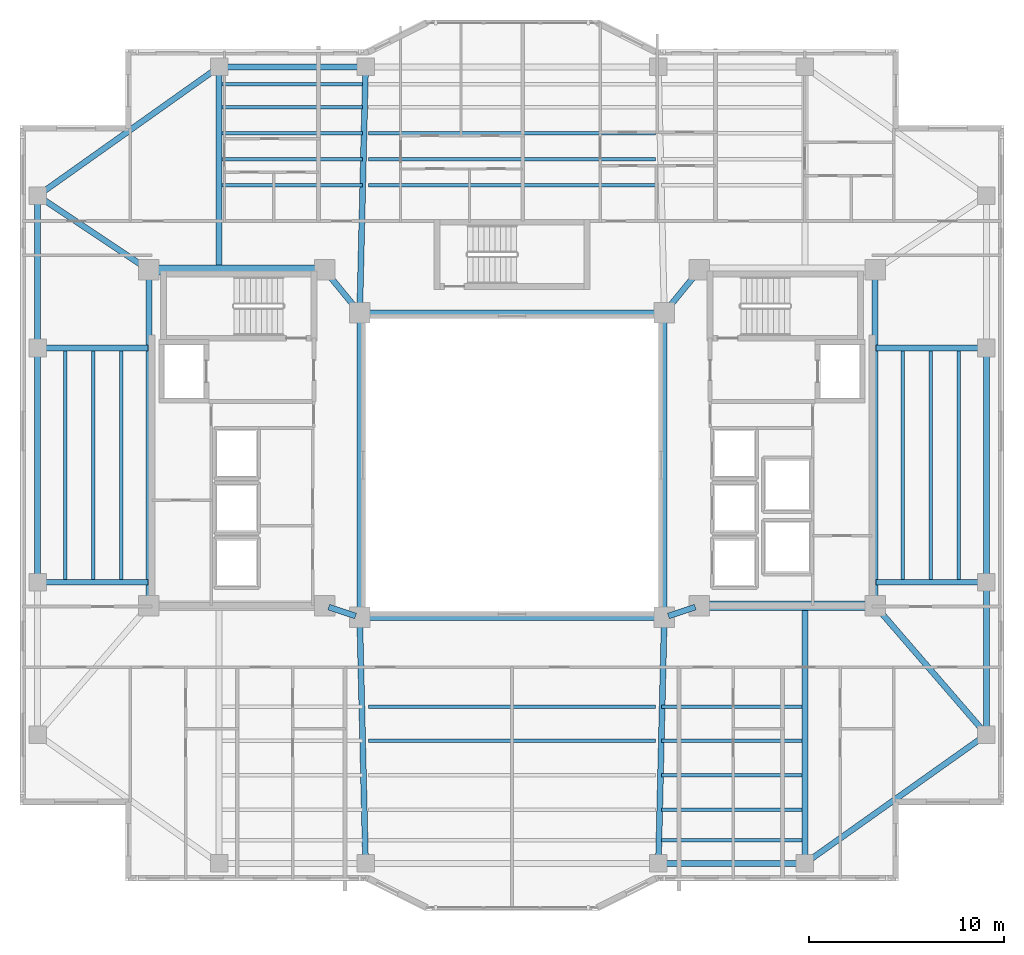
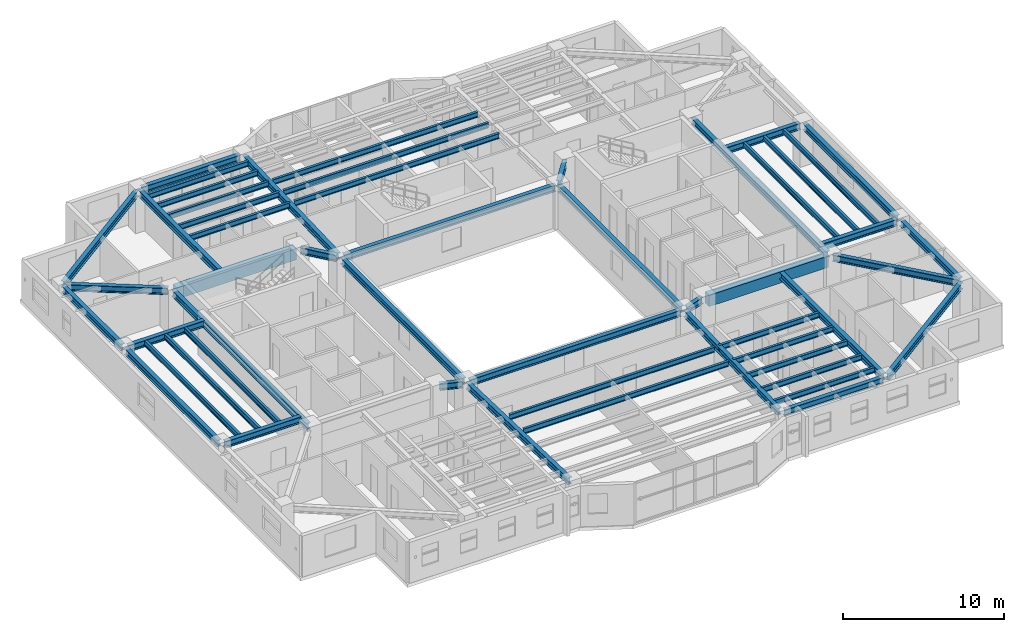
# One storey, part 3 of 16: 52 beams.
"""IFC4 building model written with IfcOpenShell, lengths in metres."""

from ifc_helpers import new_model, si_unit, direction, frame, origin, origin_2d, place, context, subcontext, project, spatial, rectangle, i_section, extrude, material, material_profile, profile_set, type_object, element, save


model = new_model("IFC4")

# Units and contexts
model_context = context("Model", 3, precision=1e-05, world=origin(), true_north=direction((0.0, 1.0)))
body_context = subcontext(model_context, "Body", "Model", "MODEL_VIEW")
ifc_project = project(units=[si_unit("LENGTHUNIT", "METRE"), si_unit("AREAUNIT", "SQUARE_METRE"), si_unit("VOLUMEUNIT", "CUBIC_METRE"), si_unit("PLANEANGLEUNIT", "RADIAN"), si_unit("MASSUNIT", "GRAM", prefix="KILO")], contexts=[model_context])

# Site, building, storey
site_placement = place(None, origin())
site = spatial("IfcSite", under=ifc_project, at=site_placement, CompositionType="ELEMENT")
building_placement = place(site_placement, origin())
building = spatial("IfcBuilding", under=site, at=building_placement, Name="Tarnavaz Court Tower", CompositionType="ELEMENT")
storey_placement = place(building_placement, frame((0.0, 0.0, 156.050048828125)))
storey = spatial("IfcBuildingStorey", under=building, at=storey_placement, Name="L42", CompositionType="ELEMENT", Elevation=156.050048828125)

# Beams
ifc_material_1 = material(Name="Concrete C50/60", Category="concrete")
ifc_material_profile_1 = material_profile(ifc_material_1, rectangle(XDim=0.5, YDim=0.85009765625, at=origin_2d()), Name="RC 500X850")
ifc_profile_set_1 = profile_set([ifc_material_profile_1], Name="Concrete C50/60")
beam_type_1 = type_object("IfcBeamType", Name="BM-CB850", PredefinedType="LINTEL", material=ifc_profile_set_1)
for number, where, z_axis, x_axis, name in (
    (1, (-18.3798828125, 10.0, 2.675048828125), (1.0, 0.0, 0.0), (0.0, 1.0, 0.0), "L42 Beam IN-CW-NO-CW-NI"),
    (2, (18.3798828125, -7.199951171875, 2.675048828125), (-1.0, 0.0, 0.0), (0.0, -1.0, 0.0), "L42 Beam IN-CE-SO-CE-SI"),
):
    element("IfcBeam", number, at=place(storey_placement, frame(where, z_axis=z_axis, x_axis=x_axis)), inside=storey, type_object=beam_type_1, Name=name, PredefinedType="LINTEL", context=body_context, shape_type="SweptSolid", body=[
        extrude(rectangle(XDim=0.5, YDim=0.85009765625, at=origin_2d()), origin(), (0.0, 0.0, 1.0), 8.559814453125),
    ])
ifc_material_2 = material(Name="Steel S355", Category="steel")
ifc_material_profile_2 = material_profile(ifc_material_2, i_section(OverallWidth=0.300048828125, OverallDepth=0.5, WebThickness=0.014404296875, FlangeThickness=0.028076171875, FilletRadius=0.027099609375, at=origin_2d()), Name="HEB 500")
ifc_profile_set_2 = profile_set([ifc_material_profile_2], Name="Steel S355")
beam_type_2 = type_object("IfcBeamType", Name="BM-G-HEB500", PredefinedType="USERDEFINED", material=ifc_profile_set_2)
for number, where, z_axis, x_axis, name in (
    (3, (-9.391357421875, -7.26953125, 2.849853515625), (0.948666544706, -0.316278021615, 0.0), (0.316278021615, 0.948666544706, 0.0), "L42 Beam IN-CW-SI-IW-SW"),
    (4, (9.391357421875, -7.26953125, 2.849853515625), (-0.948666544706, -0.316278021615, 0.0), (0.316278021615, -0.948666544706, 0.0), "L42 Beam IN-CE-SI-IW-SE"),
):
    element("IfcBeam", number, at=place(storey_placement, frame(where, z_axis=z_axis, x_axis=x_axis)), inside=storey, type_object=beam_type_2, Name=name, ObjectType="GIRDER", PredefinedType="USERDEFINED", context=body_context, shape_type="SweptSolid", body=[
        extrude(i_section(OverallWidth=0.300048828125, OverallDepth=0.5, WebThickness=0.014404296875, FlangeThickness=0.028076171875, FilletRadius=0.027099609375, at=origin_2d()), origin(), (0.0, 0.0, 1.0), 1.457275390625),
    ])
for number, where, z_axis, x_axis, name in (
    (5, (-9.460693359375, 9.82958984375, 2.849853515625), (0.633282058357, -0.773921077735, 0.0), (0.773921077735, 0.633282058357, 0.0), "L42 Beam IN-CW-NI-IW-NW"),
    (6, (9.460693359375, 9.82958984375, 2.849853515625), (-0.633282058357, -0.773921077735, 0.0), (0.773921077735, -0.633282058357, 0.0), "L42 Beam IN-CE-NI-IW-NE"),
):
    element("IfcBeam", number, at=place(storey_placement, frame(where, z_axis=z_axis, x_axis=x_axis)), inside=storey, type_object=beam_type_2, Name=name, ObjectType="GIRDER", PredefinedType="USERDEFINED", context=body_context, shape_type="SweptSolid", body=[
        extrude(i_section(OverallWidth=0.300048828125, OverallDepth=0.5, WebThickness=0.014404296875, FlangeThickness=0.028076171875, FilletRadius=0.027099609375, at=origin_2d()), origin(), (0.0, 0.0, 1.0), 2.402587890625),
    ])
for number, where, z_axis, x_axis, name in (
    (7, (-18.60009765625, -6.97998046875, 2.849853515625), (0.0, 1.0, 0.0), (-1.0, 0.0, 0.0), "L42 Beam IN-CW-SO-CW-NO"),
    (8, (18.60009765625, -6.97998046875, 2.849853515625), (0.0, 1.0, 0.0), (-1.0, 0.0, 0.0), "L42 Beam IN-CE-SO-CE-NO"),
):
    element("IfcBeam", number, at=place(storey_placement, frame(where, z_axis=z_axis, x_axis=x_axis)), inside=storey, type_object=beam_type_2, Name=name, ObjectType="GIRDER", PredefinedType="USERDEFINED", context=body_context, shape_type="SweptSolid", body=[
        extrude(i_section(OverallWidth=0.300048828125, OverallDepth=0.5, WebThickness=0.014404296875, FlangeThickness=0.028076171875, FilletRadius=0.027099609375, at=origin_2d()), origin(), (0.0, 0.0, 1.0), 16.760009765625),
    ])
beam_1_placement = place(storey_placement, frame((-15.0, 10.0400390625, 2.849853515625), z_axis=(0.0, 1.0, 0.0), x_axis=(-1.0, 0.0, 0.0)))
element("IfcBeam", 9, at=beam_1_placement, inside=storey, type_object=beam_type_2, Name="L42 Beam RG-01", ObjectType="GIRDER", PredefinedType="USERDEFINED", context=body_context, shape_type="SweptSolid", body=[
    extrude(i_section(OverallWidth=0.300048828125, OverallDepth=0.5, WebThickness=0.014404296875, FlangeThickness=0.028076171875, FilletRadius=0.027099609375, at=origin_2d()), origin(), (0.0, 0.0, 1.0), 10.139892578125),
])
for number, where, z_axis, x_axis, name in (
    (10, (-7.794921875, 8.02001953125, 2.849853515625), (0.023824748444, 0.999716150395, 0.0), (-0.999716150395, 0.023824748444, 0.0), "L42 Beam RG-02"),
    (11, (-7.794921875, -8.02001953125, 2.849853515625), (0.023824748444, -0.999716150395, 0.0), (0.999716150395, 0.023824748444, 0.0), "L42 Beam RG-06"),
    (12, (7.794921875, -8.02001953125, 2.849853515625), (-0.023824748444, -0.999716150395, 0.0), (0.999716150395, -0.023824748444, 0.0), "L42 Beam RG-07"),
):
    element("IfcBeam", number, at=place(storey_placement, frame(where, z_axis=z_axis, x_axis=x_axis)), inside=storey, type_object=beam_type_2, Name=name, ObjectType="GIRDER", PredefinedType="USERDEFINED", context=body_context, shape_type="SweptSolid", body=[
        extrude(i_section(OverallWidth=0.300048828125, OverallDepth=0.5, WebThickness=0.014404296875, FlangeThickness=0.028076171875, FilletRadius=0.027099609375, at=origin_2d()), origin(), (0.0, 0.0, 1.0), 12.16357421875),
    ])
beam_2_placement = place(storey_placement, frame((15.0, -7.239990234375, 2.849853515625), z_axis=(0.0, -1.0, 0.0), x_axis=(1.0, 0.0, 0.0)))
element("IfcBeam", 13, at=beam_2_placement, inside=storey, type_object=beam_type_2, Name="L42 Beam RG-08", ObjectType="GIRDER", PredefinedType="USERDEFINED", context=body_context, shape_type="SweptSolid", body=[
    extrude(i_section(OverallWidth=0.300048828125, OverallDepth=0.5, WebThickness=0.014404296875, FlangeThickness=0.028076171875, FilletRadius=0.027099609375, at=origin_2d()), origin(), (0.0, 0.0, 1.0), 12.93994140625),
])
for number, where, z_axis, x_axis, name in (
    (14, (18.639892578125, -6.0, 2.849853515625), (1.0, 0.0, 0.0), (0.0, 1.0, 0.0), "L42 Beam RG-09"),
    (15, (18.639892578125, 6.0, 2.849853515625), (1.0, 0.0, 0.0), (0.0, 1.0, 0.0), "L42 Beam RG-10"),
):
    element("IfcBeam", number, at=place(storey_placement, frame(where, z_axis=z_axis, x_axis=x_axis)), inside=storey, type_object=beam_type_2, Name=name, ObjectType="GIRDER", PredefinedType="USERDEFINED", context=body_context, shape_type="SweptSolid", body=[
        extrude(i_section(OverallWidth=0.300048828125, OverallDepth=0.5, WebThickness=0.014404296875, FlangeThickness=0.028076171875, FilletRadius=0.027099609375, at=origin_2d()), origin(), (0.0, 0.0, 1.0), 5.440185546875),
    ])
beam_3_placement = place(storey_placement, frame((18.743896484375, -7.366455078125, 2.849853515625), z_axis=(0.653610659012, -0.756830962914, 0.0), x_axis=(0.756830962914, 0.653610659012, 0.0)))
element("IfcBeam", 16, at=beam_3_placement, inside=storey, type_object=beam_type_2, Name="L42 Beam RG-11", ObjectType="GIRDER", PredefinedType="USERDEFINED", context=body_context, shape_type="SweptSolid", body=[
    extrude(i_section(OverallWidth=0.300048828125, OverallDepth=0.5, WebThickness=0.014404296875, FlangeThickness=0.028076171875, FilletRadius=0.027099609375, at=origin_2d()), origin(), (0.0, 0.0, 1.0), 8.28076171875),
])
for number, where, z_axis, x_axis, name in (
    (17, (-18.639892578125, -6.0, 2.849853515625), (-1.0, 0.0, 0.0), (0.0, -1.0, 0.0), "L42 Beam RG-13"),
    (18, (-18.639892578125, 6.0, 2.849853515625), (-1.0, 0.0, 0.0), (0.0, -1.0, 0.0), "L42 Beam RG-14"),
):
    element("IfcBeam", number, at=place(storey_placement, frame(where, z_axis=z_axis, x_axis=x_axis)), inside=storey, type_object=beam_type_2, Name=name, ObjectType="GIRDER", PredefinedType="USERDEFINED", context=body_context, shape_type="SweptSolid", body=[
        extrude(i_section(OverallWidth=0.300048828125, OverallDepth=0.5, WebThickness=0.014404296875, FlangeThickness=0.028076171875, FilletRadius=0.027099609375, at=origin_2d()), origin(), (0.0, 0.0, 1.0), 5.440185546875),
    ])
beam_4_placement = place(storey_placement, frame((-18.783203125, 10.1220703125, 2.849853515625), z_axis=(-0.832044435051, 0.554708985056, 0.0), x_axis=(-0.554708985056, -0.832044435051, 0.0)))
element("IfcBeam", 19, at=beam_4_placement, inside=storey, type_object=beam_type_2, Name="L42 Beam RG-16", ObjectType="GIRDER", PredefinedType="USERDEFINED", context=body_context, shape_type="SweptSolid", body=[
    extrude(i_section(OverallWidth=0.300048828125, OverallDepth=0.5, WebThickness=0.014404296875, FlangeThickness=0.028076171875, FilletRadius=0.027099609375, at=origin_2d()), origin(), (0.0, 0.0, 1.0), 6.410400390625),
])
ifc_material_profile_3 = material_profile(ifc_material_2, i_section(OverallWidth=0.179931640625, OverallDepth=0.39990234375, WebThickness=0.008544921875, FlangeThickness=0.013427734375, FilletRadius=0.02099609375, at=origin_2d()), Name="IPE 400")
ifc_profile_set_3 = profile_set([ifc_material_profile_3], Name="Steel S355")
beam_type_3 = type_object("IfcBeamType", Name="BM-J-IPE400", PredefinedType="JOIST", material=ifc_profile_set_3)
beam_5_placement = place(storey_placement, frame((-14.85009765625, 14.33203125, 2.89990234375), z_axis=(1.0, 0.0, 0.0), x_axis=(0.0, 1.0, 0.0)))
element("IfcBeam", 20, at=beam_5_placement, inside=storey, type_object=beam_type_3, Name="L42 Beam JN1-1", PredefinedType="JOIST", context=body_context, shape_type="SweptSolid", body=[
    extrude(i_section(OverallWidth=0.179931640625, OverallDepth=0.39990234375, WebThickness=0.008544921875, FlangeThickness=0.013427734375, FilletRadius=0.02099609375, at=origin_2d()), origin(), (0.0, 0.0, 1.0), 7.2001953125),
])
for number, where, z_axis, x_axis, name in (
    (21, (-7.35009765625, 14.33203125, 2.89990234375), (1.0, 0.0, 0.0), (0.0, 1.0, 0.0), "L42 Beam JN1-2"),
    (22, (-7.35009765625, -12.364013671875, 2.89990234375), (1.0, 0.0, 0.0), (0.0, 1.0, 0.0), "L42 Beam JS1-2"),
):
    element("IfcBeam", number, at=place(storey_placement, frame(where, z_axis=z_axis, x_axis=x_axis)), inside=storey, type_object=beam_type_3, Name=name, PredefinedType="JOIST", context=body_context, shape_type="SweptSolid", body=[
        extrude(i_section(OverallWidth=0.179931640625, OverallDepth=0.39990234375, WebThickness=0.008544921875, FlangeThickness=0.013427734375, FilletRadius=0.02099609375, at=origin_2d()), origin(), (0.0, 0.0, 1.0), 14.7001953125),
    ])
for number, where, z_axis, x_axis, name in (
    (23, (7.64990234375, -12.364013671875, 2.89990234375), (1.0, 0.0, 0.0), (0.0, 1.0, 0.0), "L42 Beam JS1-3"),
    (24, (-14.85009765625, 15.6640625, 2.89990234375), (1.0, 0.0, 0.0), (0.0, 1.0, 0.0), "L42 Beam JN2-1"),
):
    element("IfcBeam", number, at=place(storey_placement, frame(where, z_axis=z_axis, x_axis=x_axis)), inside=storey, type_object=beam_type_3, Name=name, PredefinedType="JOIST", context=body_context, shape_type="SweptSolid", body=[
        extrude(i_section(OverallWidth=0.179931640625, OverallDepth=0.39990234375, WebThickness=0.008544921875, FlangeThickness=0.013427734375, FilletRadius=0.02099609375, at=origin_2d()), origin(), (0.0, 0.0, 1.0), 7.2001953125),
    ])
for number, where, z_axis, x_axis, name in (
    (25, (-7.35009765625, 15.6640625, 2.89990234375), (1.0, 0.0, 0.0), (0.0, 1.0, 0.0), "L42 Beam JN2-2"),
    (26, (-7.35009765625, -14.1279296875, 2.89990234375), (1.0, 0.0, 0.0), (0.0, 1.0, 0.0), "L42 Beam JS2-2"),
):
    element("IfcBeam", number, at=place(storey_placement, frame(where, z_axis=z_axis, x_axis=x_axis)), inside=storey, type_object=beam_type_3, Name=name, PredefinedType="JOIST", context=body_context, shape_type="SweptSolid", body=[
        extrude(i_section(OverallWidth=0.179931640625, OverallDepth=0.39990234375, WebThickness=0.008544921875, FlangeThickness=0.013427734375, FilletRadius=0.02099609375, at=origin_2d()), origin(), (0.0, 0.0, 1.0), 14.7001953125),
    ])
for number, where, z_axis, x_axis, name in (
    (27, (7.64990234375, -14.1279296875, 2.89990234375), (1.0, 0.0, 0.0), (0.0, 1.0, 0.0), "L42 Beam JS2-3"),
    (28, (-14.85009765625, 16.99609375, 2.89990234375), (1.0, 0.0, 0.0), (0.0, 1.0, 0.0), "L42 Beam JN3-1"),
):
    element("IfcBeam", number, at=place(storey_placement, frame(where, z_axis=z_axis, x_axis=x_axis)), inside=storey, type_object=beam_type_3, Name=name, PredefinedType="JOIST", context=body_context, shape_type="SweptSolid", body=[
        extrude(i_section(OverallWidth=0.179931640625, OverallDepth=0.39990234375, WebThickness=0.008544921875, FlangeThickness=0.013427734375, FilletRadius=0.02099609375, at=origin_2d()), origin(), (0.0, 0.0, 1.0), 7.2001953125),
    ])
beam_6_placement = place(storey_placement, frame((-7.35009765625, 16.99609375, 2.89990234375), z_axis=(1.0, 0.0, 0.0), x_axis=(0.0, 1.0, 0.0)))
element("IfcBeam", 29, at=beam_6_placement, inside=storey, type_object=beam_type_3, Name="L42 Beam JN3-2", PredefinedType="JOIST", context=body_context, shape_type="SweptSolid", body=[
    extrude(i_section(OverallWidth=0.179931640625, OverallDepth=0.39990234375, WebThickness=0.008544921875, FlangeThickness=0.013427734375, FilletRadius=0.02099609375, at=origin_2d()), origin(), (0.0, 0.0, 1.0), 14.7001953125),
])
for number, where, z_axis, x_axis, name in (
    (30, (7.64990234375, -15.89208984375, 2.89990234375), (1.0, 0.0, 0.0), (0.0, 1.0, 0.0), "L42 Beam JS3-3"),
    (31, (-14.85009765625, 18.327880859375, 2.89990234375), (1.0, 0.0, 0.0), (0.0, 1.0, 0.0), "L42 Beam JN4-1"),
    (32, (7.64990234375, -17.656005859375, 2.89990234375), (1.0, 0.0, 0.0), (0.0, 1.0, 0.0), "L42 Beam JS4-3"),
    (33, (-14.85009765625, 19.511962890625, 2.89990234375), (1.0, 0.0, 0.0), (0.0, 1.0, 0.0), "L42 Beam JN5-1"),
    (34, (7.64990234375, -19.22412109375, 2.89990234375), (1.0, 0.0, 0.0), (0.0, 1.0, 0.0), "L42 Beam JS5-3"),
):
    element("IfcBeam", number, at=place(storey_placement, frame(where, z_axis=z_axis, x_axis=x_axis)), inside=storey, type_object=beam_type_3, Name=name, PredefinedType="JOIST", context=body_context, shape_type="SweptSolid", body=[
        extrude(i_section(OverallWidth=0.179931640625, OverallDepth=0.39990234375, WebThickness=0.008544921875, FlangeThickness=0.013427734375, FilletRadius=0.02099609375, at=origin_2d()), origin(), (0.0, 0.0, 1.0), 7.2001953125),
    ])
for number, where, z_axis, x_axis, name in (
    (35, (20.02490234375, -5.9599609375, 2.89990234375), (0.0, 1.0, 0.0), (-1.0, 0.0, 0.0), "L42 Beam JE1"),
    (36, (-20.02490234375, -5.9599609375, 2.89990234375), (0.0, 1.0, 0.0), (-1.0, 0.0, 0.0), "L42 Beam JW1"),
    (37, (21.449951171875, -5.9599609375, 2.89990234375), (0.0, 1.0, 0.0), (-1.0, 0.0, 0.0), "L42 Beam JE2"),
    (38, (-21.449951171875, -5.9599609375, 2.89990234375), (0.0, 1.0, 0.0), (-1.0, 0.0, 0.0), "L42 Beam JW2"),
    (39, (22.875, -5.9599609375, 2.89990234375), (0.0, 1.0, 0.0), (-1.0, 0.0, 0.0), "L42 Beam JE3"),
    (40, (-22.875, -5.9599609375, 2.89990234375), (0.0, 1.0, 0.0), (-1.0, 0.0, 0.0), "L42 Beam JW3"),
):
    element("IfcBeam", number, at=place(storey_placement, frame(where, z_axis=z_axis, x_axis=x_axis)), inside=storey, type_object=beam_type_3, Name=name, PredefinedType="JOIST", context=body_context, shape_type="SweptSolid", body=[
        extrude(i_section(OverallWidth=0.179931640625, OverallDepth=0.39990234375, WebThickness=0.008544921875, FlangeThickness=0.013427734375, FilletRadius=0.02099609375, at=origin_2d()), origin(), (0.0, 0.0, 1.0), 11.919921875),
    ])
ifc_material_profile_4 = material_profile(ifc_material_2, i_section(OverallWidth=0.300048828125, OverallDepth=0.489990234375, WebThickness=0.011962890625, FlangeThickness=0.02294921875, FilletRadius=0.027099609375, at=origin_2d()), Name="HEA 500")
ifc_profile_set_4 = profile_set([ifc_material_profile_4], Name="Steel S355")
beam_type_4 = type_object("IfcBeamType", Name="BM-SP-HEA500", PredefinedType="SPANDREL", material=ifc_profile_set_4)
for number, where, z_axis, x_axis, name in (
    (41, (-7.580078125, -7.800048828125, 2.85498046875), (1.0, 0.0, 0.0), (0.0, 1.0, 0.0), "L42 Beam IN-IW-SW-IW-SE"),
    (42, (-7.580078125, 7.800048828125, 2.85498046875), (1.0, 0.0, 0.0), (0.0, 1.0, 0.0), "L42 Beam IN-IW-NW-IW-NE"),
    (43, (-7.800048828125, -7.580078125, 2.85498046875), (0.0, 1.0, 0.0), (-1.0, 0.0, 0.0), "L42 Beam IN-IW-SW-IW-NW"),
    (44, (7.800048828125, -7.580078125, 2.85498046875), (0.0, 1.0, 0.0), (-1.0, 0.0, 0.0), "L42 Beam IN-IW-SE-IW-NE"),
):
    element("IfcBeam", number, at=place(storey_placement, frame(where, z_axis=z_axis, x_axis=x_axis)), inside=storey, type_object=beam_type_4, Name=name, PredefinedType="SPANDREL", context=body_context, shape_type="SweptSolid", body=[
        extrude(i_section(OverallWidth=0.300048828125, OverallDepth=0.489990234375, WebThickness=0.011962890625, FlangeThickness=0.02294921875, FilletRadius=0.027099609375, at=origin_2d()), origin(), (0.0, 0.0, 1.0), 15.16015625),
    ])
for number, where, z_axis, x_axis, name in (
    (45, (-14.780029296875, 20.39990234375, 2.85498046875), (1.0, 0.0, 0.0), (0.0, 1.0, 0.0), "L42 Beam PR-PN-1-PN-2"),
    (46, (7.719970703125, -20.39990234375, 2.85498046875), (1.0, 0.0, 0.0), (0.0, 1.0, 0.0), "L42 Beam PR-PS-3-PS-4"),
):
    element("IfcBeam", number, at=place(storey_placement, frame(where, z_axis=z_axis, x_axis=x_axis)), inside=storey, type_object=beam_type_4, Name=name, PredefinedType="SPANDREL", context=body_context, shape_type="SweptSolid", body=[
        extrude(i_section(OverallWidth=0.300048828125, OverallDepth=0.489990234375, WebThickness=0.011962890625, FlangeThickness=0.02294921875, FilletRadius=0.027099609375, at=origin_2d()), origin(), (0.0, 0.0, 1.0), 7.06005859375),
    ])
beam_7_placement = place(storey_placement, frame((24.300048828125, -13.580078125, 2.85498046875), z_axis=(0.0, 1.0, 0.0), x_axis=(-1.0, 0.0, 0.0)))
element("IfcBeam", 47, at=beam_7_placement, inside=storey, type_object=beam_type_4, Name="L42 Beam PR-PE-1-PE-2", PredefinedType="SPANDREL", context=body_context, shape_type="SweptSolid", body=[
    extrude(i_section(OverallWidth=0.300048828125, OverallDepth=0.489990234375, WebThickness=0.011962890625, FlangeThickness=0.02294921875, FilletRadius=0.027099609375, at=origin_2d()), origin(), (0.0, 0.0, 1.0), 7.360107421875),
])
for number, where, z_axis, x_axis, name in (
    (48, (24.300048828125, -5.780029296875, 2.85498046875), (0.0, 1.0, 0.0), (-1.0, 0.0, 0.0), "L42 Beam PR-PE-2-PE-3"),
    (49, (-24.300048828125, -5.780029296875, 2.85498046875), (0.0, 1.0, 0.0), (-1.0, 0.0, 0.0), "L42 Beam PR-PW-2-PW-3"),
):
    element("IfcBeam", number, at=place(storey_placement, frame(where, z_axis=z_axis, x_axis=x_axis)), inside=storey, type_object=beam_type_4, Name=name, PredefinedType="SPANDREL", context=body_context, shape_type="SweptSolid", body=[
        extrude(i_section(OverallWidth=0.300048828125, OverallDepth=0.489990234375, WebThickness=0.011962890625, FlangeThickness=0.02294921875, FilletRadius=0.027099609375, at=origin_2d()), origin(), (0.0, 0.0, 1.0), 11.56005859375),
    ])
beam_8_placement = place(storey_placement, frame((-24.300048828125, 6.219970703125, 2.85498046875), z_axis=(0.0, 1.0, 0.0), x_axis=(-1.0, 0.0, 0.0)))
element("IfcBeam", 50, at=beam_8_placement, inside=storey, type_object=beam_type_4, Name="L42 Beam PR-PW-3-PW-4", PredefinedType="SPANDREL", context=body_context, shape_type="SweptSolid", body=[
    extrude(i_section(OverallWidth=0.300048828125, OverallDepth=0.489990234375, WebThickness=0.011962890625, FlangeThickness=0.02294921875, FilletRadius=0.027099609375, at=origin_2d()), origin(), (0.0, 0.0, 1.0), 7.360107421875),
])
for number, where, z_axis, x_axis, name in (
    (51, (24.12060546875, -13.92724609375, 2.85498046875), (-0.815502059396, -0.57875417158, 0.0), (0.57875417158, -0.815502059396, 0.0), "L42 Beam PR-PE-1-PS-4"),
    (52, (-24.12060546875, 13.92724609375, 2.85498046875), (0.815502059396, 0.57875417158, 0.0), (-0.57875417158, 0.815502059396, 0.0), "L42 Beam PR-PW-4-PN-1"),
):
    element("IfcBeam", number, at=place(storey_placement, frame(where, z_axis=z_axis, x_axis=x_axis)), inside=storey, type_object=beam_type_4, Name=name, PredefinedType="SPANDREL", context=body_context, shape_type="SweptSolid", body=[
        extrude(i_section(OverallWidth=0.300048828125, OverallDepth=0.489990234375, WebThickness=0.011962890625, FlangeThickness=0.02294921875, FilletRadius=0.027099609375, at=origin_2d()), origin(), (0.0, 0.0, 1.0), 10.964111328125),
    ])

save(model, "model.ifc")
